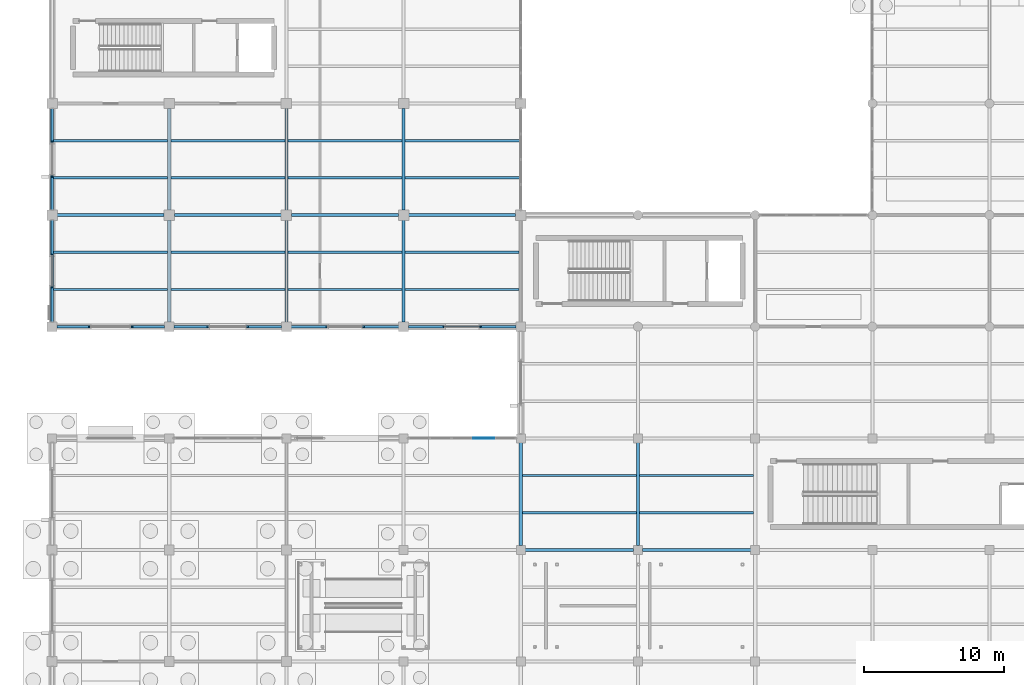
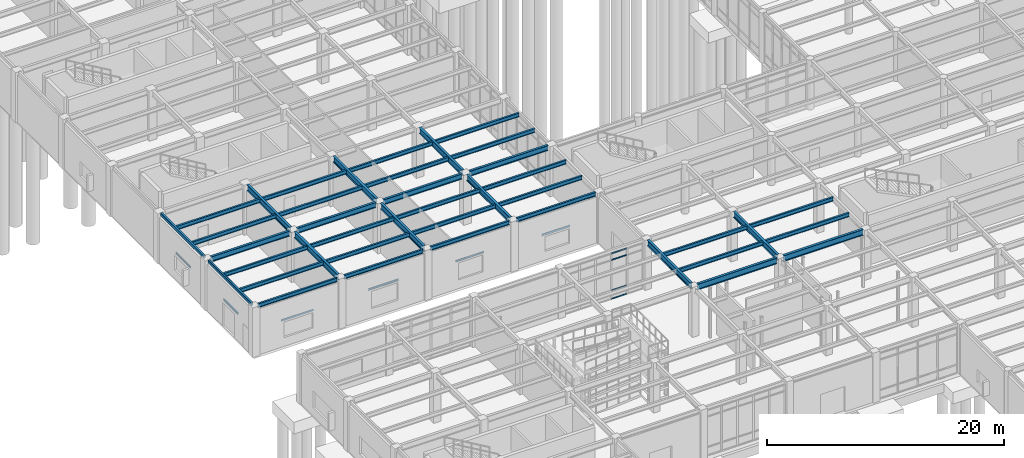
# One storey, part 27 of 138: 46 beams, 4 members, 1 element without a shape of its own.
"""IFC4 building model written with IfcOpenShell, lengths in metres."""

from ifc_helpers import new_model, si_unit, direction, frame, origin, origin_2d, place, context, subcontext, project, spatial, rectangle, hollow_rectangle, i_section, u_section, extrude, material, layer, layer_set, material_profile, profile_set, type_object, element, aggregate, save


model = new_model("IFC4")

# Units and contexts
model_context = context("Model", 3, precision=1e-05, world=origin(), true_north=direction((0.0, 1.0)))
body_context = subcontext(model_context, "Body", "Model", "MODEL_VIEW")
ifc_project = project(units=[si_unit("LENGTHUNIT", "METRE"), si_unit("AREAUNIT", "SQUARE_METRE"), si_unit("VOLUMEUNIT", "CUBIC_METRE"), si_unit("PLANEANGLEUNIT", "RADIAN"), si_unit("MASSUNIT", "GRAM", prefix="KILO")], contexts=[model_context])

# Site, building, storey
site_placement = place(None, origin())
site = spatial("IfcSite", under=ifc_project, at=site_placement, CompositionType="ELEMENT")
building_placement = place(site_placement, origin())
building = spatial("IfcBuilding", under=site, at=building_placement, Name="Kranzveld Transit Interchange", CompositionType="ELEMENT")
storey_placement = place(building_placement, origin())
storey = spatial("IfcBuildingStorey", under=building, at=storey_placement, Name="L00", CompositionType="ELEMENT", Elevation=0.0)

# Curtain wall, members
ifc_material_1 = material(Name="Bronze-anodised thermally broken aluminium", Category="aluminium")
ifc_layer = layer(ifc_material_1, 0.1650390625)
ifc_layer_set = layer_set([ifc_layer], Name="Bronze-anodised thermally broken aluminium")
curtain_wall_type = type_object("IfcCurtainWallType", Name="Sunny Court Arcade Curtain Wall CW-2", PredefinedType="USERDEFINED", material=ifc_layer_set)
curtain_wall_placement = place(storey_placement, origin())
curtain_wall = element("IfcCurtainWall", 1, at=curtain_wall_placement, inside=storey, type_object=curtain_wall_type, Name="L00 Curtain Wall 04/F-05/F", ObjectType="CURTAIN WALL", PredefinedType="USERDEFINED")
ifc_material_2 = material(Name="Bronze-anodised thermally broken aluminium", Category="aluminium")
ifc_material_profile_1 = material_profile(ifc_material_2, rectangle(XDim=0.06005859375, YDim=0.125, at=origin_2d()), Name="ALU TRANSOM 60x125")
ifc_profile_set_1 = profile_set([ifc_material_profile_1], Name="Bronze-anodised thermally broken aluminium")
member_type = type_object("IfcMemberType", Name="Curtain Wall Transom 60x125 Alu", PredefinedType="USERDEFINED", material=ifc_profile_set_1)
member_1_placement = place(storey_placement, frame((30.20751953125, 40.0, 0.030029296875), z_axis=(1.0, 0.0, 0.0), x_axis=(0.0, 1.0, 0.0)))
member_1 = element("IfcMember", 2, at=member_1_placement, type_object=member_type, Name="CW-2 transom 4.1", ObjectType="TRANSOM", PredefinedType="USERDEFINED", context=body_context, shape_type="SweptSolid", body=[
    extrude(rectangle(XDim=0.06005859375, YDim=0.125, at=origin_2d()), origin(), (0.0, 0.0, 1.0), 1.48486328125),
])
member_2_placement = place(storey_placement, frame((30.20751953125, 40.0, 0.89990234375), z_axis=(1.0, 0.0, 0.0), x_axis=(0.0, 1.0, 0.0)))
member_2 = element("IfcMember", 3, at=member_2_placement, type_object=member_type, Name="CW-2 transom 4.2", ObjectType="TRANSOM", PredefinedType="USERDEFINED", context=body_context, shape_type="SweptSolid", body=[
    extrude(rectangle(XDim=0.06005859375, YDim=0.125, at=origin_2d()), origin(), (0.0, 0.0, 1.0), 1.48486328125),
])
member_3_placement = place(storey_placement, frame((30.20751953125, 40.0, 4.04052734375), z_axis=(1.0, 0.0, 0.0), x_axis=(0.0, 1.0, 0.0)))
member_3 = element("IfcMember", 4, at=member_3_placement, type_object=member_type, Name="CW-2 transom 4.3", ObjectType="TRANSOM", PredefinedType="USERDEFINED", context=body_context, shape_type="SweptSolid", body=[
    extrude(rectangle(XDim=0.06005859375, YDim=0.125, at=origin_2d()), origin(), (0.0, 0.0, 1.0), 1.48486328125),
])
member_4_placement = place(storey_placement, frame((30.20751953125, 40.0, 4.710693359375), z_axis=(1.0, 0.0, 0.0), x_axis=(0.0, 1.0, 0.0)))
member_4 = element("IfcMember", 5, at=member_4_placement, type_object=member_type, Name="CW-2 transom 4.4", ObjectType="TRANSOM", PredefinedType="USERDEFINED", context=body_context, shape_type="SweptSolid", body=[
    extrude(rectangle(XDim=0.06005859375, YDim=0.125, at=origin_2d()), origin(), (0.0, 0.0, 1.0), 1.48486328125),
])
aggregate(curtain_wall, [member_1, member_2, member_3, member_4])

# Beams
ifc_material_3 = material(Name="Steel S355JR", Category="steel")
ifc_material_profile_2 = material_profile(ifc_material_3, hollow_rectangle(XDim=0.199951171875, YDim=0.300048828125, WallThickness=0.010009765625, InnerFilletRadius=0.014892578125, OuterFilletRadius=0.02490234375, at=origin_2d()), Name="RHS 300x200x10")
ifc_profile_set_2 = profile_set([ifc_material_profile_2], Name="Steel S355JR")
beam_type_1 = type_object("IfcBeamType", Name="Edge Spandrel RHS 300x200x10 S355JR", PredefinedType="SPANDREL", material=ifc_profile_set_2)
beam_1_placement = place(storey_placement, frame((0.0, 48.340087890625, 5.0), z_axis=(0.0, 1.0, 0.0), x_axis=(-1.0, 0.0, 0.0)))
element("IfcBeam", 6, at=beam_1_placement, inside=storey, type_object=beam_type_1, Name="L00 Girder 01/G-H", PredefinedType="SPANDREL", context=body_context, shape_type="SweptSolid", body=[
    extrude(hollow_rectangle(XDim=0.199951171875, YDim=0.300048828125, WallThickness=0.010009765625, InnerFilletRadius=0.014892578125, OuterFilletRadius=0.02490234375, at=origin_2d()), origin(), (0.0, 0.0, 1.0), 7.294921875),
])
beam_2_placement = place(storey_placement, frame((0.0, 56.364990234375, 5.0), z_axis=(0.0, 1.0, 0.0), x_axis=(-1.0, 0.0, 0.0)))
element("IfcBeam", 7, at=beam_2_placement, inside=storey, type_object=beam_type_1, Name="L00 Girder 01/H-J", PredefinedType="SPANDREL", context=body_context, shape_type="SweptSolid", body=[
    extrude(hollow_rectangle(XDim=0.199951171875, YDim=0.300048828125, WallThickness=0.010009765625, InnerFilletRadius=0.014892578125, OuterFilletRadius=0.02490234375, at=origin_2d()), origin(), (0.0, 0.0, 1.0), 7.27001953125),
])
ifc_material_4 = material(Name="Steel S355JR", Category="steel")
ifc_material_profile_3 = material_profile(ifc_material_4, i_section(OverallWidth=0.1787109375, OverallDepth=0.409423828125, WebThickness=0.0087890625, FlangeThickness=0.014404296875, FilletRadius=0.01025390625, at=origin_2d()), Name="UB 406x178x67")
ifc_profile_set_3 = profile_set([ifc_material_profile_3], Name="Steel S355JR")
beam_type_2 = type_object("IfcBeamType", Name="Facade Spandrel UB 406x178x67 S355JR", PredefinedType="SPANDREL", material=ifc_profile_set_3)
for number, where, z_axis, x_axis, name in (
    (8, (0.340087890625, 48.0, 4.9453125), (1.0, 0.0, 0.0), (0.0, 1.0, 0.0), "L00 Girder 01-02/G"),
    (9, (8.739990234375, 48.0, 4.9453125), (1.0, 0.0, 0.0), (0.0, 1.0, 0.0), "L00 Girder 02-03/G"),
):
    element("IfcBeam", number, at=place(storey_placement, frame(where, z_axis=z_axis, x_axis=x_axis)), inside=storey, type_object=beam_type_2, Name=name, PredefinedType="SPANDREL", context=body_context, shape_type="SweptSolid", body=[
        extrude(i_section(OverallWidth=0.1787109375, OverallDepth=0.409423828125, WebThickness=0.0087890625, FlangeThickness=0.014404296875, FilletRadius=0.01025390625, at=origin_2d()), origin(), (0.0, 0.0, 1.0), 7.719970703125),
    ])
beam_3_placement = place(storey_placement, frame((17.139892578125, 48.0, 4.9453125), z_axis=(1.0, 0.0, 0.0), x_axis=(0.0, 1.0, 0.0)))
element("IfcBeam", 10, at=beam_3_placement, inside=storey, type_object=beam_type_2, Name="L00 Girder 03-04/G", PredefinedType="SPANDREL", context=body_context, shape_type="SweptSolid", body=[
    extrude(i_section(OverallWidth=0.1787109375, OverallDepth=0.409423828125, WebThickness=0.0087890625, FlangeThickness=0.014404296875, FilletRadius=0.01025390625, at=origin_2d()), origin(), (0.0, 0.0, 1.0), 7.72021484375),
])
beam_4_placement = place(storey_placement, frame((25.5400390625, 48.0, 4.9453125), z_axis=(1.0, 0.0, 0.0), x_axis=(0.0, 1.0, 0.0)))
element("IfcBeam", 11, at=beam_4_placement, inside=storey, type_object=beam_type_2, Name="L00 Girder 04-05/G", PredefinedType="SPANDREL", context=body_context, shape_type="SweptSolid", body=[
    extrude(i_section(OverallWidth=0.1787109375, OverallDepth=0.409423828125, WebThickness=0.0087890625, FlangeThickness=0.014404296875, FilletRadius=0.01025390625, at=origin_2d()), origin(), (0.0, 0.0, 1.0), 7.719970703125),
])
ifc_material_5 = material(Name="Steel S355JR", Category="steel")
ifc_material_profile_4 = material_profile(ifc_material_5, i_section(OverallWidth=0.177734375, OverallDepth=0.402587890625, WebThickness=0.0078125, FlangeThickness=0.010986328125, FilletRadius=0.01025390625, at=origin_2d()), Name="UB 406x178x54")
ifc_profile_set_4 = profile_set([ifc_material_profile_4], Name="Steel S355JR")
beam_type_3 = type_object("IfcBeamType", Name="Floor Joist UB 406x178x54 S355JR", PredefinedType="JOIST", material=ifc_profile_set_4)
for number, where, z_axis, x_axis, name in (
    (12, (0.10205078125, 50.666748046875, 4.94873046875), (1.0, 0.0, 0.0), (0.0, 1.0, 0.0), "L00 Secondary Joist 01-02/G.1"),
    (13, (0.10205078125, 53.333251953125, 4.94873046875), (1.0, 0.0, 0.0), (0.0, 1.0, 0.0), "L00 Secondary Joist 01-02/G.2"),
    (14, (0.10205078125, 58.666748046875, 4.94873046875), (1.0, 0.0, 0.0), (0.0, 1.0, 0.0), "L00 Secondary Joist 01-02/H.1"),
    (15, (0.10205078125, 61.333251953125, 4.94873046875), (1.0, 0.0, 0.0), (0.0, 1.0, 0.0), "L00 Secondary Joist 01-02/H.2"),
):
    element("IfcBeam", number, at=place(storey_placement, frame(where, z_axis=z_axis, x_axis=x_axis)), inside=storey, type_object=beam_type_3, Name=name, PredefinedType="JOIST", context=body_context, shape_type="SweptSolid", body=[
        extrude(i_section(OverallWidth=0.177734375, OverallDepth=0.402587890625, WebThickness=0.0078125, FlangeThickness=0.010986328125, FilletRadius=0.01025390625, at=origin_2d()), origin(), (0.0, 0.0, 1.0), 8.181884765625),
    ])
for number, where, z_axis, x_axis, name in (
    (16, (8.51611328125, 50.666748046875, 4.94873046875), (1.0, 0.0, 0.0), (0.0, 1.0, 0.0), "L00 Secondary Joist 02-03/G.1"),
    (17, (8.51611328125, 53.333251953125, 4.94873046875), (1.0, 0.0, 0.0), (0.0, 1.0, 0.0), "L00 Secondary Joist 02-03/G.2"),
    (18, (8.51611328125, 58.666748046875, 4.94873046875), (1.0, 0.0, 0.0), (0.0, 1.0, 0.0), "L00 Secondary Joist 02-03/H.1"),
    (19, (8.51611328125, 61.333251953125, 4.94873046875), (1.0, 0.0, 0.0), (0.0, 1.0, 0.0), "L00 Secondary Joist 02-03/H.2"),
):
    element("IfcBeam", number, at=place(storey_placement, frame(where, z_axis=z_axis, x_axis=x_axis)), inside=storey, type_object=beam_type_3, Name=name, PredefinedType="JOIST", context=body_context, shape_type="SweptSolid", body=[
        extrude(i_section(OverallWidth=0.177734375, OverallDepth=0.402587890625, WebThickness=0.0078125, FlangeThickness=0.010986328125, FilletRadius=0.01025390625, at=origin_2d()), origin(), (0.0, 0.0, 1.0), 8.167724609375),
    ])
for number, where, z_axis, x_axis, name in (
    (20, (16.916015625, 50.666748046875, 4.94873046875), (1.0, 0.0, 0.0), (0.0, 1.0, 0.0), "L00 Secondary Joist 03-04/G.1"),
    (21, (16.916015625, 53.333251953125, 4.94873046875), (1.0, 0.0, 0.0), (0.0, 1.0, 0.0), "L00 Secondary Joist 03-04/G.2"),
    (22, (16.916015625, 58.666748046875, 4.94873046875), (1.0, 0.0, 0.0), (0.0, 1.0, 0.0), "L00 Secondary Joist 03-04/H.1"),
    (23, (16.916015625, 61.333251953125, 4.94873046875), (1.0, 0.0, 0.0), (0.0, 1.0, 0.0), "L00 Secondary Joist 03-04/H.2"),
):
    element("IfcBeam", number, at=place(storey_placement, frame(where, z_axis=z_axis, x_axis=x_axis)), inside=storey, type_object=beam_type_3, Name=name, PredefinedType="JOIST", context=body_context, shape_type="SweptSolid", body=[
        extrude(i_section(OverallWidth=0.177734375, OverallDepth=0.402587890625, WebThickness=0.0078125, FlangeThickness=0.010986328125, FilletRadius=0.01025390625, at=origin_2d()), origin(), (0.0, 0.0, 1.0), 8.16796875),
    ])
for number, where, z_axis, x_axis, name in (
    (24, (25.316162109375, 50.666748046875, 4.94873046875), (1.0, 0.0, 0.0), (0.0, 1.0, 0.0), "L00 Secondary Joist 04-05/G.1"),
    (25, (25.316162109375, 53.333251953125, 4.94873046875), (1.0, 0.0, 0.0), (0.0, 1.0, 0.0), "L00 Secondary Joist 04-05/G.2"),
):
    element("IfcBeam", number, at=place(storey_placement, frame(where, z_axis=z_axis, x_axis=x_axis)), inside=storey, type_object=beam_type_3, Name=name, PredefinedType="JOIST", context=body_context, shape_type="SweptSolid", body=[
        extrude(i_section(OverallWidth=0.177734375, OverallDepth=0.402587890625, WebThickness=0.0078125, FlangeThickness=0.010986328125, FilletRadius=0.01025390625, at=origin_2d()), origin(), (0.0, 0.0, 1.0), 8.167724609375),
    ])
for number, where, z_axis, x_axis, name in (
    (26, (25.316162109375, 58.666748046875, 4.94873046875), (1.0, 0.0, 0.0), (0.0, 1.0, 0.0), "L00 Secondary Joist 04-05/H.1"),
    (27, (25.316162109375, 61.333251953125, 4.94873046875), (1.0, 0.0, 0.0), (0.0, 1.0, 0.0), "L00 Secondary Joist 04-05/H.2"),
):
    element("IfcBeam", number, at=place(storey_placement, frame(where, z_axis=z_axis, x_axis=x_axis)), inside=storey, type_object=beam_type_3, Name=name, PredefinedType="JOIST", context=body_context, shape_type="SweptSolid", body=[
        extrude(i_section(OverallWidth=0.177734375, OverallDepth=0.402587890625, WebThickness=0.0078125, FlangeThickness=0.010986328125, FilletRadius=0.01025390625, at=origin_2d()), origin(), (0.0, 0.0, 1.0), 8.181884765625),
    ])
for number, where, z_axis, x_axis, name in (
    (28, (33.716064453125, 34.666748046875, 4.94873046875), (1.0, 0.0, 0.0), (0.0, 1.0, 0.0), "L00 Secondary Joist 05-06/E.1"),
    (29, (33.716064453125, 37.333251953125, 4.94873046875), (1.0, 0.0, 0.0), (0.0, 1.0, 0.0), "L00 Secondary Joist 05-06/E.2"),
    (30, (42.1162109375, 34.666748046875, 4.94873046875), (1.0, 0.0, 0.0), (0.0, 1.0, 0.0), "L00 Secondary Joist 06-07/E.1"),
    (31, (42.1162109375, 37.333251953125, 4.94873046875), (1.0, 0.0, 0.0), (0.0, 1.0, 0.0), "L00 Secondary Joist 06-07/E.2"),
):
    element("IfcBeam", number, at=place(storey_placement, frame(where, z_axis=z_axis, x_axis=x_axis)), inside=storey, type_object=beam_type_3, Name=name, PredefinedType="JOIST", context=body_context, shape_type="SweptSolid", body=[
        extrude(i_section(OverallWidth=0.177734375, OverallDepth=0.402587890625, WebThickness=0.0078125, FlangeThickness=0.010986328125, FilletRadius=0.01025390625, at=origin_2d()), origin(), (0.0, 0.0, 1.0), 8.167724609375),
    ])
ifc_material_6 = material(Name="Steel S355JR", Category="steel")
ifc_material_profile_5 = material_profile(ifc_material_6, i_section(OverallWidth=0.2119140625, OverallDepth=0.54443359375, WebThickness=0.0126953125, FlangeThickness=0.021240234375, FilletRadius=0.0126953125, at=origin_2d()), Name="UB 533x210x122")
ifc_profile_set_5 = profile_set([ifc_material_profile_5], Name="Steel S355JR")
beam_type_4 = type_object("IfcBeamType", Name="Girder Steel UB 533x210x122 S355JR", PredefinedType="BEAM", material=ifc_profile_set_5)
beam_5_placement = place(storey_placement, frame((0.364990234375, 56.0, 4.877685546875), z_axis=(1.0, 0.0, 0.0), x_axis=(0.0, 1.0, 0.0)))
element("IfcBeam", 32, at=beam_5_placement, inside=storey, type_object=beam_type_4, Name="L00 Girder 01-02/H", PredefinedType="BEAM", context=body_context, shape_type="SweptSolid", body=[
    extrude(i_section(OverallWidth=0.2119140625, OverallDepth=0.54443359375, WebThickness=0.0126953125, FlangeThickness=0.021240234375, FilletRadius=0.0126953125, at=origin_2d()), origin(), (0.0, 0.0, 1.0), 7.669921875),
])
beam_6_placement = place(storey_placement, frame((8.764892578125, 56.0, 4.877685546875), z_axis=(1.0, 0.0, 0.0), x_axis=(0.0, 1.0, 0.0)))
element("IfcBeam", 33, at=beam_6_placement, inside=storey, type_object=beam_type_4, Name="L00 Girder 02-03/H", PredefinedType="BEAM", context=body_context, shape_type="SweptSolid", body=[
    extrude(i_section(OverallWidth=0.2119140625, OverallDepth=0.54443359375, WebThickness=0.0126953125, FlangeThickness=0.021240234375, FilletRadius=0.0126953125, at=origin_2d()), origin(), (0.0, 0.0, 1.0), 7.670166015625),
])
beam_7_placement = place(storey_placement, frame((17.1650390625, 56.0, 4.877685546875), z_axis=(1.0, 0.0, 0.0), x_axis=(0.0, 1.0, 0.0)))
element("IfcBeam", 34, at=beam_7_placement, inside=storey, type_object=beam_type_4, Name="L00 Girder 03-04/H", PredefinedType="BEAM", context=body_context, shape_type="SweptSolid", body=[
    extrude(i_section(OverallWidth=0.2119140625, OverallDepth=0.54443359375, WebThickness=0.0126953125, FlangeThickness=0.021240234375, FilletRadius=0.0126953125, at=origin_2d()), origin(), (0.0, 0.0, 1.0), 7.669921875),
])
beam_8_placement = place(storey_placement, frame((25.56494140625, 56.0, 4.877685546875), z_axis=(1.0, 0.0, 0.0), x_axis=(0.0, 1.0, 0.0)))
element("IfcBeam", 35, at=beam_8_placement, inside=storey, type_object=beam_type_4, Name="L00 Girder 04-05/H", PredefinedType="BEAM", context=body_context, shape_type="SweptSolid", body=[
    extrude(i_section(OverallWidth=0.2119140625, OverallDepth=0.54443359375, WebThickness=0.0126953125, FlangeThickness=0.021240234375, FilletRadius=0.0126953125, at=origin_2d()), origin(), (0.0, 0.0, 1.0), 7.670166015625),
])
ifc_material_7 = material(Name="Steel S355JR", Category="steel")
ifc_material_profile_6 = material_profile(ifc_material_7, i_section(OverallWidth=0.228271484375, OverallDepth=0.607666015625, WebThickness=0.010986328125, FlangeThickness=0.017333984375, FilletRadius=0.0126953125, at=origin_2d()), Name="UB 610x229x113")
ifc_profile_set_6 = profile_set([ifc_material_profile_6], Name="Steel S355JR")
beam_type_5 = type_object("IfcBeamType", Name="Girder Steel UB 610x229x113 S355JR", PredefinedType="BEAM", material=ifc_profile_set_6)
beam_9_placement = place(storey_placement, frame((8.39990234375, 48.340087890625, 4.84619140625), z_axis=(0.0, 1.0, 0.0), x_axis=(-1.0, 0.0, 0.0)))
element("IfcBeam", 36, at=beam_9_placement, inside=storey, type_object=beam_type_5, Name="L00 Girder 02/G-H", PredefinedType="BEAM", context=body_context, shape_type="SweptSolid", body=[
    extrude(i_section(OverallWidth=0.228271484375, OverallDepth=0.607666015625, WebThickness=0.010986328125, FlangeThickness=0.017333984375, FilletRadius=0.0126953125, at=origin_2d()), origin(), (0.0, 0.0, 1.0), 7.294921875),
])
beam_10_placement = place(storey_placement, frame((8.39990234375, 56.364990234375, 4.84619140625), z_axis=(0.0, 1.0, 0.0), x_axis=(-1.0, 0.0, 0.0)))
element("IfcBeam", 37, at=beam_10_placement, inside=storey, type_object=beam_type_5, Name="L00 Girder 02/H-J", PredefinedType="BEAM", context=body_context, shape_type="SweptSolid", body=[
    extrude(i_section(OverallWidth=0.228271484375, OverallDepth=0.607666015625, WebThickness=0.010986328125, FlangeThickness=0.017333984375, FilletRadius=0.0126953125, at=origin_2d()), origin(), (0.0, 0.0, 1.0), 7.27001953125),
])
beam_11_placement = place(storey_placement, frame((16.800048828125, 48.340087890625, 4.84619140625), z_axis=(0.0, 1.0, 0.0), x_axis=(-1.0, 0.0, 0.0)))
element("IfcBeam", 38, at=beam_11_placement, inside=storey, type_object=beam_type_5, Name="L00 Girder 03/G-H", PredefinedType="BEAM", context=body_context, shape_type="SweptSolid", body=[
    extrude(i_section(OverallWidth=0.228271484375, OverallDepth=0.607666015625, WebThickness=0.010986328125, FlangeThickness=0.017333984375, FilletRadius=0.0126953125, at=origin_2d()), origin(), (0.0, 0.0, 1.0), 7.294921875),
])
beam_12_placement = place(storey_placement, frame((16.800048828125, 56.364990234375, 4.84619140625), z_axis=(0.0, 1.0, 0.0), x_axis=(-1.0, 0.0, 0.0)))
element("IfcBeam", 39, at=beam_12_placement, inside=storey, type_object=beam_type_5, Name="L00 Girder 03/H-J", PredefinedType="BEAM", context=body_context, shape_type="SweptSolid", body=[
    extrude(i_section(OverallWidth=0.228271484375, OverallDepth=0.607666015625, WebThickness=0.010986328125, FlangeThickness=0.017333984375, FilletRadius=0.0126953125, at=origin_2d()), origin(), (0.0, 0.0, 1.0), 7.27001953125),
])
beam_13_placement = place(storey_placement, frame((25.199951171875, 48.340087890625, 4.84619140625), z_axis=(0.0, 1.0, 0.0), x_axis=(-1.0, 0.0, 0.0)))
element("IfcBeam", 40, at=beam_13_placement, inside=storey, type_object=beam_type_5, Name="L00 Girder 04/G-H", PredefinedType="BEAM", context=body_context, shape_type="SweptSolid", body=[
    extrude(i_section(OverallWidth=0.228271484375, OverallDepth=0.607666015625, WebThickness=0.010986328125, FlangeThickness=0.017333984375, FilletRadius=0.0126953125, at=origin_2d()), origin(), (0.0, 0.0, 1.0), 7.294921875),
])
beam_14_placement = place(storey_placement, frame((25.199951171875, 56.364990234375, 4.84619140625), z_axis=(0.0, 1.0, 0.0), x_axis=(-1.0, 0.0, 0.0)))
element("IfcBeam", 41, at=beam_14_placement, inside=storey, type_object=beam_type_5, Name="L00 Girder 04/H-J", PredefinedType="BEAM", context=body_context, shape_type="SweptSolid", body=[
    extrude(i_section(OverallWidth=0.228271484375, OverallDepth=0.607666015625, WebThickness=0.010986328125, FlangeThickness=0.017333984375, FilletRadius=0.0126953125, at=origin_2d()), origin(), (0.0, 0.0, 1.0), 7.27001953125),
])
for number, where, z_axis, x_axis, name in (
    (42, (33.60009765625, 32.31494140625, 4.84619140625), (0.0, 1.0, 0.0), (-1.0, 0.0, 0.0), "L00 Girder 05/E-F"),
    (43, (42.0, 32.31494140625, 4.84619140625), (0.0, 1.0, 0.0), (-1.0, 0.0, 0.0), "L00 Girder 06/E-F"),
):
    element("IfcBeam", number, at=place(storey_placement, frame(where, z_axis=z_axis, x_axis=x_axis)), inside=storey, type_object=beam_type_5, Name=name, PredefinedType="BEAM", context=body_context, shape_type="SweptSolid", body=[
        extrude(i_section(OverallWidth=0.228271484375, OverallDepth=0.607666015625, WebThickness=0.010986328125, FlangeThickness=0.017333984375, FilletRadius=0.0126953125, at=origin_2d()), origin(), (0.0, 0.0, 1.0), 7.3701171875),
    ])
ifc_material_8 = material(Name="Steel S355JR", Category="steel")
ifc_material_profile_7 = material_profile(ifc_material_8, i_section(OverallWidth=0.230224609375, OverallDepth=0.6171875, WebThickness=0.01318359375, FlangeThickness=0.022216796875, FilletRadius=0.0126953125, at=origin_2d()), Name="UB 610x229x140")
ifc_profile_set_7 = profile_set([ifc_material_profile_7], Name="Steel S355JR")
beam_type_6 = type_object("IfcBeamType", Name="Girder Steel UB 610x229x140 S355JR", PredefinedType="BEAM", material=ifc_profile_set_7)
for number, where, z_axis, x_axis, name in (
    (44, (33.9150390625, 32.0, 4.84130859375), (1.0, 0.0, 0.0), (0.0, 1.0, 0.0), "L00 Girder 05-06/E"),
    (45, (42.31494140625, 32.0, 4.84130859375), (1.0, 0.0, 0.0), (0.0, 1.0, 0.0), "L00 Girder 06-07/E"),
):
    element("IfcBeam", number, at=place(storey_placement, frame(where, z_axis=z_axis, x_axis=x_axis)), inside=storey, type_object=beam_type_6, Name=name, PredefinedType="BEAM", context=body_context, shape_type="SweptSolid", body=[
        extrude(i_section(OverallWidth=0.230224609375, OverallDepth=0.6171875, WebThickness=0.01318359375, FlangeThickness=0.022216796875, FilletRadius=0.0126953125, at=origin_2d()), origin(), (0.0, 0.0, 1.0), 7.77001953125),
    ])
ifc_material_9 = material(Name="Steel S355JR", Category="steel")
ifc_material_profile_8 = material_profile(ifc_material_9, u_section(Depth=0.179931640625, FlangeWidth=0.070068359375, WebThickness=0.007080078125, FlangeThickness=0.010986328125, FilletRadius=0.010009765625, at=origin_2d()), Name="PFC 180x70x22")
ifc_profile_set_8 = profile_set([ifc_material_profile_8], Name="Steel S355JR")
beam_type_7 = type_object("IfcBeamType", Name="Masonry Lintel PFC 180x70x22 S355JR", PredefinedType="LINTEL", material=ifc_profile_set_8)
beam_15_placement = place(storey_placement, frame((2.6201171875, 48.0, 2.594970703125), z_axis=(1.0, 0.0, 0.0), x_axis=(0.0, 1.0, 0.0)))
element("IfcBeam", 46, at=beam_15_placement, inside=storey, type_object=beam_type_7, Name="L00 Window Lintel 005", PredefinedType="LINTEL", context=body_context, shape_type="SweptSolid", body=[
    extrude(u_section(Depth=0.179931640625, FlangeWidth=0.070068359375, WebThickness=0.007080078125, FlangeThickness=0.010986328125, FilletRadius=0.010009765625, at=origin_2d()), origin(), (0.0, 0.0, 1.0), 3.159912109375),
])
beam_16_placement = place(storey_placement, frame((0.0, 58.719970703125, 2.4951171875), z_axis=(0.0, 1.0, 0.0), x_axis=(-1.0, 0.0, 0.0)))
element("IfcBeam", 47, at=beam_16_placement, inside=storey, type_object=beam_type_7, Name="L00 Window Lintel 009", PredefinedType="LINTEL", context=body_context, shape_type="SweptSolid", body=[
    extrude(u_section(Depth=0.179931640625, FlangeWidth=0.070068359375, WebThickness=0.007080078125, FlangeThickness=0.010986328125, FilletRadius=0.010009765625, at=origin_2d()), origin(), (0.0, 0.0, 1.0), 2.56005859375),
])
ifc_material_10 = material(Name="Steel S355JR", Category="steel")
ifc_material_profile_9 = material_profile(ifc_material_10, u_section(Depth=0.199951171875, FlangeWidth=0.074951171875, WebThickness=0.006103515625, FlangeThickness=0.012451171875, FilletRadius=0.011962890625, at=origin_2d()), Name="PFC 200x75x23")
ifc_profile_set_9 = profile_set([ifc_material_profile_9], Name="Steel S355JR")
beam_type_8 = type_object("IfcBeamType", Name="Masonry Lintel PFC 200x75x23 S355JR", PredefinedType="LINTEL", material=ifc_profile_set_9)
beam_17_placement = place(storey_placement, frame((28.02001953125, 48.0, 2.5048828125), z_axis=(1.0, 0.0, 0.0), x_axis=(0.0, 1.0, 0.0)))
element("IfcBeam", 48, at=beam_17_placement, inside=storey, type_object=beam_type_8, Name="L00 Window Lintel 008", PredefinedType="LINTEL", context=body_context, shape_type="SweptSolid", body=[
    extrude(u_section(Depth=0.199951171875, FlangeWidth=0.074951171875, WebThickness=0.006103515625, FlangeThickness=0.012451171875, FilletRadius=0.011962890625, at=origin_2d()), origin(), (0.0, 0.0, 1.0), 2.760009765625),
])
ifc_material_11 = material(Name="Steel S355JR", Category="steel")
ifc_material_profile_10 = material_profile(ifc_material_11, u_section(Depth=0.22998046875, FlangeWidth=0.090087890625, WebThickness=0.007568359375, FlangeThickness=0.013916015625, FilletRadius=0.011962890625, at=origin_2d()), Name="PFC 230x90x32")
ifc_profile_set_10 = profile_set([ifc_material_profile_10], Name="Steel S355JR")
beam_type_9 = type_object("IfcBeamType", Name="Masonry Lintel PFC 230x90x32 S355JR", PredefinedType="LINTEL", material=ifc_profile_set_10)
beam_18_placement = place(storey_placement, frame((0.0, 50.757568359375, 2.570068359375), z_axis=(0.0, 1.0, 0.0), x_axis=(-1.0, 0.0, 0.0)))
element("IfcBeam", 49, at=beam_18_placement, inside=storey, type_object=beam_type_9, Name="L00 Entrance Door Lintel 002", PredefinedType="LINTEL", context=body_context, shape_type="SweptSolid", body=[
    extrude(u_section(Depth=0.22998046875, FlangeWidth=0.090087890625, WebThickness=0.007568359375, FlangeThickness=0.013916015625, FilletRadius=0.011962890625, at=origin_2d()), origin(), (0.0, 0.0, 1.0), 2.4599609375),
])
ifc_material_12 = material(Name="Steel S355JR", Category="steel")
ifc_material_profile_11 = material_profile(ifc_material_12, i_section(OverallWidth=0.091064453125, OverallDepth=0.179931640625, WebThickness=0.00537109375, FlangeThickness=0.008056640625, FilletRadius=0.009033203125, at=origin_2d()), Name="IPE 180")
ifc_profile_set_11 = profile_set([ifc_material_profile_11], Name="Steel S355JR")
beam_type_10 = type_object("IfcBeamType", Name="Opening Lintel IPE 180 S355JR", PredefinedType="LINTEL", material=ifc_profile_set_11)
beam_19_placement = place(storey_placement, frame((19.6201171875, 48.0, 2.7451171875), z_axis=(1.0, 0.0, 0.0), x_axis=(0.0, 1.0, 0.0)))
element("IfcBeam", 50, at=beam_19_placement, inside=storey, type_object=beam_type_10, Name="L00 Window Lintel 007", PredefinedType="LINTEL", context=body_context, shape_type="SweptSolid", body=[
    extrude(i_section(OverallWidth=0.091064453125, OverallDepth=0.179931640625, WebThickness=0.00537109375, FlangeThickness=0.008056640625, FilletRadius=0.009033203125, at=origin_2d()), origin(), (0.0, 0.0, 1.0), 2.759765625),
])
ifc_material_13 = material(Name="Steel S355JR", Category="steel")
ifc_material_profile_12 = material_profile(ifc_material_13, i_section(OverallWidth=0.10009765625, OverallDepth=0.199951171875, WebThickness=0.005615234375, FlangeThickness=0.008544921875, FilletRadius=0.011962890625, at=origin_2d()), Name="IPE 200")
ifc_profile_set_12 = profile_set([ifc_material_profile_12], Name="Steel S355JR")
beam_type_11 = type_object("IfcBeamType", Name="Opening Lintel IPE 200 S355JR", PredefinedType="LINTEL", material=ifc_profile_set_12)
beam_20_placement = place(storey_placement, frame((11.1201171875, 48.0, 2.804931640625), z_axis=(1.0, 0.0, 0.0), x_axis=(0.0, 1.0, 0.0)))
element("IfcBeam", 51, at=beam_20_placement, inside=storey, type_object=beam_type_11, Name="L00 Window Lintel 006", PredefinedType="LINTEL", context=body_context, shape_type="SweptSolid", body=[
    extrude(i_section(OverallWidth=0.10009765625, OverallDepth=0.199951171875, WebThickness=0.005615234375, FlangeThickness=0.008544921875, FilletRadius=0.011962890625, at=origin_2d()), origin(), (0.0, 0.0, 1.0), 2.9599609375),
])

save(model, "model.ifc")
